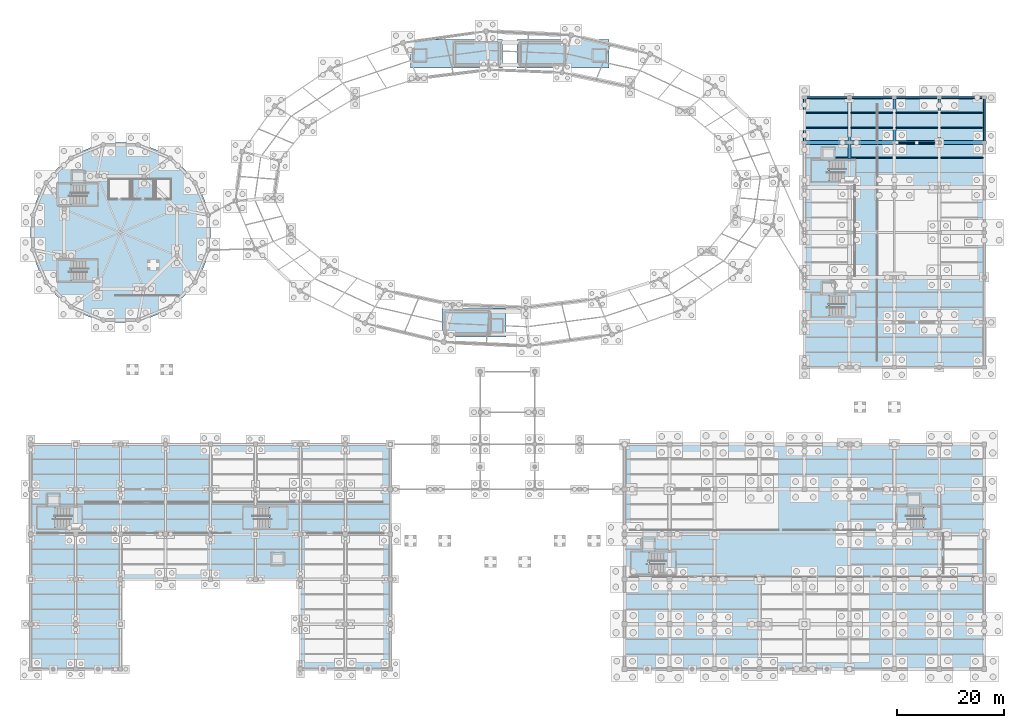
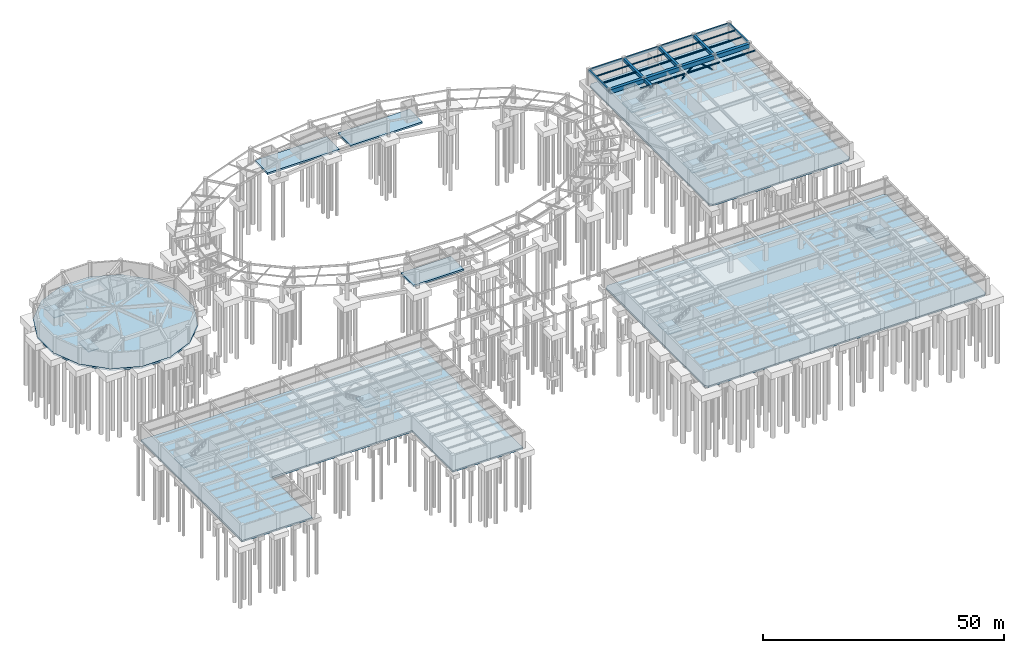
# One storey, part 21 of 38: 26 beams, 15 slabs, 2 members, 8 elements without a shape of their own.
"""IFC4 building model written with IfcOpenShell, lengths in metres."""

from ifc_helpers import new_model, si_unit, direction, frame, origin, origin_2d, place, context, subcontext, project, spatial, polyline, rectangle, hollow_rectangle, i_section, outline, extrude, material, layer, layer_set, material_profile, profile_set, type_object, element, aggregate, save


model = new_model("IFC4")

# Units and contexts
model_context = context("Model", 3, precision=1e-05, world=origin(), true_north=direction((0.0, 1.0)))
body_context = subcontext(model_context, "Body", "Model", "MODEL_VIEW")
ifc_project = project(units=[si_unit("LENGTHUNIT", "METRE"), si_unit("AREAUNIT", "SQUARE_METRE"), si_unit("VOLUMEUNIT", "CUBIC_METRE"), si_unit("PLANEANGLEUNIT", "RADIAN"), si_unit("MASSUNIT", "GRAM", prefix="KILO"), si_unit("THERMODYNAMICTEMPERATUREUNIT", "KELVIN"), si_unit("POWERUNIT", "WATT")], contexts=[model_context])

# Site, building, storey
site_placement = place(None, origin())
site = spatial("IfcSite", under=ifc_project, at=site_placement, CompositionType="ELEMENT")
building_placement = place(site_placement, origin())
building = spatial("IfcBuilding", under=site, at=building_placement, Name="Darbajah Civic Hall", CompositionType="ELEMENT")
storey_placement = place(building_placement, frame((0.0, 0.0, -4.199951171875)))
storey = spatial("IfcBuildingStorey", under=building, at=storey_placement, Name="B01", CompositionType="ELEMENT", Elevation=-4.199951171875)

# Beams
ifc_material_1 = material(Name="Concrete C45/55", Category="concrete")
ifc_material_profile_1 = material_profile(ifc_material_1, rectangle(XDim=0.550048828125, YDim=0.75, at=origin_2d()), Name="RC BEAM 550x750")
ifc_profile_set_1 = profile_set([ifc_material_profile_1], Name="Concrete C45/55")
beam_type_1 = type_object("IfcBeamType", Name="RC BEAM 550x750", PredefinedType="BEAM", material=ifc_profile_set_1)
beam_1_placement = place(storey_placement, frame((153.0, 95.340087890625, 3.48486328125), z_axis=(0.0, 1.0, 0.0), x_axis=(-1.0, 0.0, 0.0)))
element("IfcBeam", 1, at=beam_1_placement, inside=storey, type_object=beam_type_1, Name="B01 beam BM-5575", PredefinedType="BEAM", context=body_context, shape_type="SweptSolid", body=[
    extrude(rectangle(XDim=0.550048828125, YDim=0.75, at=origin_2d()), origin(), (0.0, 0.0, 1.0), 2.97998046875),
])
for number, where, z_axis, x_axis, name in (
    (2, (153.0, 98.47998046875, 3.48486328125), (0.0, 1.0, 0.0), (-1.0, 0.0, 0.0), "B01 beam BM-5575"),
    (3, (161.39990234375, 98.47998046875, 3.48486328125), (0.0, 1.0, 0.0), (-1.0, 0.0, 0.0), "B01 beam BM-5575"),
    (4, (169.800048828125, 98.47998046875, 3.48486328125), (0.0, 1.0, 0.0), (-1.0, 0.0, 0.0), "B01 beam BM-5575"),
):
    element("IfcBeam", number, at=place(storey_placement, frame(where, z_axis=z_axis, x_axis=x_axis)), inside=storey, type_object=beam_type_1, Name=name, PredefinedType="BEAM", context=body_context, shape_type="SweptSolid", body=[
        extrude(rectangle(XDim=0.550048828125, YDim=0.75, at=origin_2d()), origin(), (0.0, 0.0, 1.0), 8.239990234375),
    ])
ifc_material_2 = material(Name="Concrete C50/60", Category="concrete")
ifc_material_profile_2 = material_profile(ifc_material_2, rectangle(XDim=0.699951171875, YDim=1.050048828125, at=origin_2d()), Name="RC GIRDER 700x1050")
ifc_profile_set_2 = profile_set([ifc_material_profile_2], Name="Concrete C50/60")
beam_type_2 = type_object("IfcBeamType", Name="RC GIRDER 700x1050", PredefinedType="BEAM", material=ifc_profile_set_2)
for number, where, z_axis, x_axis, name in (
    (5, (144.679931640625, 98.39990234375, 3.3349609375), (1.0, 0.0, 0.0), (0.0, 1.0, 0.0), "B01 beam BG-7010"),
    (6, (153.080078125, 98.39990234375, 3.3349609375), (1.0, 0.0, 0.0), (0.0, 1.0, 0.0), "B01 beam BG-7010"),
    (7, (161.47998046875, 98.39990234375, 3.3349609375), (1.0, 0.0, 0.0), (0.0, 1.0, 0.0), "B01 beam BG-7010"),
):
    element("IfcBeam", number, at=place(storey_placement, frame(where, z_axis=z_axis, x_axis=x_axis)), inside=storey, type_object=beam_type_2, Name=name, PredefinedType="BEAM", context=body_context, shape_type="SweptSolid", body=[
        extrude(rectangle(XDim=0.699951171875, YDim=1.050048828125, at=origin_2d()), origin(), (0.0, 0.0, 1.0), 8.239990234375),
    ])
beam_2_placement = place(storey_placement, frame((169.8798828125, 98.39990234375, 3.3349609375), z_axis=(1.0, 0.0, 0.0), x_axis=(0.0, 1.0, 0.0)))
element("IfcBeam", 8, at=beam_2_placement, inside=storey, type_object=beam_type_2, Name="B01 beam BG-7010", PredefinedType="BEAM", context=body_context, shape_type="SweptSolid", body=[
    extrude(rectangle(XDim=0.699951171875, YDim=1.050048828125, at=origin_2d()), origin(), (0.0, 0.0, 1.0), 8.240234375),
])
ifc_material_profile_3 = material_profile(ifc_material_1, rectangle(XDim=0.35009765625, YDim=0.64990234375, at=origin_2d()), Name="RC SPANDREL 350x650")
ifc_profile_set_3 = profile_set([ifc_material_profile_3], Name="Concrete C45/55")
beam_type_3 = type_object("IfcBeamType", Name="RC SPANDREL 350x650", PredefinedType="SPANDREL", material=ifc_profile_set_3)
for number, where, z_axis, x_axis, name in (
    (9, (144.679931640625, 106.800048828125, 3.534912109375), (1.0, 0.0, 0.0), (0.0, 1.0, 0.0), "B01 beam SP-3565"),
    (10, (153.080078125, 106.800048828125, 3.534912109375), (1.0, 0.0, 0.0), (0.0, 1.0, 0.0), "B01 beam SP-3565"),
    (11, (161.47998046875, 106.800048828125, 3.534912109375), (1.0, 0.0, 0.0), (0.0, 1.0, 0.0), "B01 beam SP-3565"),
):
    element("IfcBeam", number, at=place(storey_placement, frame(where, z_axis=z_axis, x_axis=x_axis)), inside=storey, type_object=beam_type_3, Name=name, PredefinedType="SPANDREL", context=body_context, shape_type="SweptSolid", body=[
        extrude(rectangle(XDim=0.35009765625, YDim=0.64990234375, at=origin_2d()), origin(), (0.0, 0.0, 1.0), 8.239990234375),
    ])
beam_3_placement = place(storey_placement, frame((169.8798828125, 106.800048828125, 3.534912109375), z_axis=(1.0, 0.0, 0.0), x_axis=(0.0, 1.0, 0.0)))
element("IfcBeam", 12, at=beam_3_placement, inside=storey, type_object=beam_type_3, Name="B01 beam SP-3565", PredefinedType="SPANDREL", context=body_context, shape_type="SweptSolid", body=[
    extrude(rectangle(XDim=0.35009765625, YDim=0.64990234375, at=origin_2d()), origin(), (0.0, 0.0, 1.0), 8.240234375),
])
for number, where, z_axis, x_axis, name in (
    (13, (144.60009765625, 98.47998046875, 3.534912109375), (0.0, 1.0, 0.0), (-1.0, 0.0, 0.0), "B01 beam SP-3565"),
    (14, (178.199951171875, 98.47998046875, 3.534912109375), (0.0, 1.0, 0.0), (-1.0, 0.0, 0.0), "B01 beam SP-3565"),
):
    element("IfcBeam", number, at=place(storey_placement, frame(where, z_axis=z_axis, x_axis=x_axis)), inside=storey, type_object=beam_type_3, Name=name, PredefinedType="SPANDREL", context=body_context, shape_type="SweptSolid", body=[
        extrude(rectangle(XDim=0.35009765625, YDim=0.64990234375, at=origin_2d()), origin(), (0.0, 0.0, 1.0), 8.239990234375),
    ])

# Members
ifc_material_3 = material(Name="Steel S355JR", Category="steel")
ifc_material_profile_4 = material_profile(ifc_material_3, hollow_rectangle(XDim=0.199951171875, YDim=0.199951171875, WallThickness=0.010009765625, at=origin_2d()), Name="SHS 200x200x10")
ifc_profile_set_4 = profile_set([ifc_material_profile_4], Name="Steel S355JR")
member_type = type_object("IfcMemberType", Name="SHS 200x200x10", PredefinedType="BRACE", material=ifc_profile_set_4)
member_1_placement = place(storey_placement, frame((161.85009765625, 98.39990234375, 0.199951171875), z_axis=(0.742254478498, 0.0, 0.67011811582), x_axis=(0.0, 1.0, 0.0)))
element("IfcMember", 15, at=member_1_placement, inside=storey, type_object=member_type, Name="B01 lateral chevron brace BR-B01-6-L", PredefinedType="BRACE", context=body_context, shape_type="SweptSolid", body=[
    extrude(hollow_rectangle(XDim=0.199951171875, YDim=0.199951171875, WallThickness=0.010009765625, at=origin_2d()), origin(), (0.0, 0.0, 1.0), 4.849853515625),
])
member_2_placement = place(storey_placement, frame((169.35009765625, 98.39990234375, 0.199951171875), z_axis=(-0.742277082557, 0.0, 0.670093077648), x_axis=(0.0, -1.0, 0.0)))
element("IfcMember", 16, at=member_2_placement, inside=storey, type_object=member_type, Name="B01 lateral chevron brace BR-B01-6-R", PredefinedType="BRACE", context=body_context, shape_type="SweptSolid", body=[
    extrude(hollow_rectangle(XDim=0.199951171875, YDim=0.199951171875, WallThickness=0.010009765625, at=origin_2d()), origin(), (0.0, 0.0, 1.0), 4.85009765625),
])

# Beams
ifc_material_profile_5 = material_profile(ifc_material_3, i_section(OverallWidth=0.165771484375, OverallDepth=0.306640625, WebThickness=0.006591796875, FlangeThickness=0.01171875, FilletRadius=0.0087890625, at=origin_2d()), Name="UB 305x165x46")
ifc_profile_set_5 = profile_set([ifc_material_profile_5], Name="Steel S355JR")
beam_type_4 = type_object("IfcBeamType", Name="UB 305x165x46", PredefinedType="JOIST", material=ifc_profile_set_5)
beam_4_placement = place(storey_placement, frame((150.419921875, 95.60009765625, 3.70654296875), z_axis=(1.0, 0.0, 0.0), x_axis=(0.0, 1.0, 0.0)))
element("IfcBeam", 17, at=beam_4_placement, inside=storey, type_object=beam_type_4, Name="B01 beam SJ-305", PredefinedType="JOIST", context=body_context, shape_type="SweptSolid", body=[
    extrude(i_section(OverallWidth=0.165771484375, OverallDepth=0.306640625, WebThickness=0.006591796875, FlangeThickness=0.01171875, FilletRadius=0.0087890625, at=origin_2d()), origin(), (0.0, 0.0, 1.0), 2.30517578125),
])
for number, where, z_axis, x_axis, name in (
    (18, (144.77490234375, 101.199951171875, 3.70654296875), (1.0, 0.0, 0.0), (0.0, 1.0, 0.0), "B01 beam SJ-305"),
    (19, (144.77490234375, 104.0, 3.70654296875), (1.0, 0.0, 0.0), (0.0, 1.0, 0.0), "B01 beam SJ-305"),
):
    element("IfcBeam", number, at=place(storey_placement, frame(where, z_axis=z_axis, x_axis=x_axis)), inside=storey, type_object=beam_type_4, Name=name, PredefinedType="JOIST", context=body_context, shape_type="SweptSolid", body=[
        extrude(i_section(OverallWidth=0.165771484375, OverallDepth=0.306640625, WebThickness=0.006591796875, FlangeThickness=0.01171875, FilletRadius=0.0087890625, at=origin_2d()), origin(), (0.0, 0.0, 1.0), 7.9501953125),
    ])
for number, where, z_axis, x_axis, name in (
    (20, (153.27490234375, 95.60009765625, 3.70654296875), (1.0, 0.0, 0.0), (0.0, 1.0, 0.0), "B01 beam SJ-305"),
    (21, (153.27490234375, 101.199951171875, 3.70654296875), (1.0, 0.0, 0.0), (0.0, 1.0, 0.0), "B01 beam SJ-305"),
    (22, (153.27490234375, 104.0, 3.70654296875), (1.0, 0.0, 0.0), (0.0, 1.0, 0.0), "B01 beam SJ-305"),
):
    element("IfcBeam", number, at=place(storey_placement, frame(where, z_axis=z_axis, x_axis=x_axis)), inside=storey, type_object=beam_type_4, Name=name, PredefinedType="JOIST", context=body_context, shape_type="SweptSolid", body=[
        extrude(i_section(OverallWidth=0.165771484375, OverallDepth=0.306640625, WebThickness=0.006591796875, FlangeThickness=0.01171875, FilletRadius=0.0087890625, at=origin_2d()), origin(), (0.0, 0.0, 1.0), 7.85009765625),
    ])
for number, where, z_axis, x_axis, name in (
    (23, (161.675048828125, 95.60009765625, 3.70654296875), (1.0, 0.0, 0.0), (0.0, 1.0, 0.0), "B01 beam SJ-305"),
    (24, (161.675048828125, 101.199951171875, 3.70654296875), (1.0, 0.0, 0.0), (0.0, 1.0, 0.0), "B01 beam SJ-305"),
    (25, (161.675048828125, 104.0, 3.70654296875), (1.0, 0.0, 0.0), (0.0, 1.0, 0.0), "B01 beam SJ-305"),
):
    element("IfcBeam", number, at=place(storey_placement, frame(where, z_axis=z_axis, x_axis=x_axis)), inside=storey, type_object=beam_type_4, Name=name, PredefinedType="JOIST", context=body_context, shape_type="SweptSolid", body=[
        extrude(i_section(OverallWidth=0.165771484375, OverallDepth=0.306640625, WebThickness=0.006591796875, FlangeThickness=0.01171875, FilletRadius=0.0087890625, at=origin_2d()), origin(), (0.0, 0.0, 1.0), 7.849853515625),
    ])
for number, where, z_axis, x_axis, name in (
    (26, (170.074951171875, 95.60009765625, 3.70654296875), (1.0, 0.0, 0.0), (0.0, 1.0, 0.0), "B01 beam SJ-305"),
    (27, (170.074951171875, 101.199951171875, 3.70654296875), (1.0, 0.0, 0.0), (0.0, 1.0, 0.0), "B01 beam SJ-305"),
    (28, (170.074951171875, 104.0, 3.70654296875), (1.0, 0.0, 0.0), (0.0, 1.0, 0.0), "B01 beam SJ-305"),
):
    element("IfcBeam", number, at=place(storey_placement, frame(where, z_axis=z_axis, x_axis=x_axis)), inside=storey, type_object=beam_type_4, Name=name, PredefinedType="JOIST", context=body_context, shape_type="SweptSolid", body=[
        extrude(i_section(OverallWidth=0.165771484375, OverallDepth=0.306640625, WebThickness=0.006591796875, FlangeThickness=0.01171875, FilletRadius=0.0087890625, at=origin_2d()), origin(), (0.0, 0.0, 1.0), 7.949951171875),
    ])

# Slabs
ifc_layer_1 = layer(ifc_material_1, 0.449951171875, Name="Concrete C45/55")
ifc_layer_set_1 = layer_set([ifc_layer_1], Name="Concrete C45/55")
slab_type_1 = type_object("IfcSlabType", Name="Basement Base Slab 450mm", PredefinedType="BASESLAB", material=ifc_layer_set_1)
slab_1_placement = place(storey_placement, frame((0.0, 0.0, -0.449951171875)))
element("IfcSlab", 29, at=slab_1_placement, inside=storey, type_object=slab_type_1, Name="B01 Council Chamber base slab", PredefinedType="BASESLAB", context=body_context, shape_type="SweptSolid", body=[
    extrude(outline(polyline([(33.60009765625, 84.941650390625), (31.04248046875, 91.116455078125), (26.31640625, 95.84228515625), (20.1416015625, 98.39990234375), (13.458251953125, 98.39990234375), (7.28369140625, 95.84228515625), (2.5576171875, 91.116455078125), (0.0, 84.941650390625), (0.0, 78.25830078125), (2.5576171875, 72.08349609375), (7.28369140625, 67.357666015625), (13.458251953125, 64.800048828125), (20.1416015625, 64.800048828125), (26.31640625, 67.357666015625), (31.04248046875, 72.08349609375), (33.60009765625, 78.25830078125), (33.60009765625, 84.941650390625)])), origin(), (0.0, 0.0, 1.0), 0.449951171875),
])
slab_2_placement = place(storey_placement, frame((0.0, 0.0, -0.449951171875)))
element("IfcSlab", 30, at=slab_2_placement, inside=storey, type_object=slab_type_1, Name="B01 Public Hall wing base slab", PredefinedType="BASESLAB", context=body_context, shape_type="SweptSolid", body=[
    extrude(outline(polyline([(111.60009765625, 0.0), (177.60009765625, 0.0), (178.199951171875, 0.60009765625), (178.199951171875, 41.39990234375), (177.60009765625, 42.0), (111.60009765625, 42.0), (111.0, 41.39990234375), (111.0, 0.60009765625), (111.60009765625, 0.0)])), origin(), (0.0, 0.0, 1.0), 0.449951171875),
])
slab_3_placement = place(storey_placement, frame((0.0, 0.0, -0.449951171875)))
element("IfcSlab", 31, at=slab_3_placement, inside=storey, type_object=slab_type_1, Name="B01 Members Library base slab", PredefinedType="BASESLAB", context=body_context, shape_type="SweptSolid", body=[
    extrude(outline(polyline([(145.199951171875, 56.39990234375), (177.60009765625, 56.39990234375), (178.199951171875, 57.0), (178.199951171875, 106.199951171875), (177.60009765625, 106.800048828125), (145.199951171875, 106.800048828125), (144.60009765625, 106.199951171875), (144.60009765625, 57.0), (145.199951171875, 56.39990234375)])), origin(), (0.0, 0.0, 1.0), 0.449951171875),
])
slab_4_placement = place(storey_placement, frame((0.0, 0.0, -0.449951171875)))
element("IfcSlab", 32, at=slab_4_placement, inside=storey, type_object=slab_type_1, Name="B01 Committee Cloister base slab", PredefinedType="BASESLAB", context=body_context, shape_type="SweptSolid", body=[
    extrude(outline(polyline([(0.0, 0.0), (16.800048828125, 0.0), (16.800048828125, 16.800048828125), (50.39990234375, 16.800048828125), (50.39990234375, 0.0), (67.199951171875, 0.0), (67.199951171875, 42.0), (0.0, 42.0), (0.0, 0.0)])), origin(), (0.0, 0.0, 1.0), 0.449951171875),
])
slab_5_placement = place(storey_placement, frame((0.0, 0.0, -0.449951171875)))
element("IfcSlab", 33, at=slab_5_placement, inside=storey, type_object=slab_type_1, Name="B01 Oval Ring core C01 foundation mat slab", PredefinedType="BASESLAB", context=body_context, shape_type="SweptSolid", body=[
    extrude(outline(polyline([(70.949951171875, 112.35009765625), (88.14990234375, 112.35009765625), (88.14990234375, 117.64990234375), (70.949951171875, 117.64990234375), (70.949951171875, 112.35009765625)])), origin(), (0.0, 0.0, 1.0), 0.449951171875),
])
slab_6_placement = place(storey_placement, frame((0.0, 0.0, -0.449951171875)))
element("IfcSlab", 34, at=slab_6_placement, inside=storey, type_object=slab_type_1, Name="B01 Oval Ring core C02 foundation mat slab", PredefinedType="BASESLAB", context=body_context, shape_type="SweptSolid", body=[
    extrude(outline(polyline([(90.85009765625, 112.35009765625), (108.050048828125, 112.35009765625), (108.050048828125, 117.64990234375), (90.85009765625, 117.64990234375), (90.85009765625, 112.35009765625)])), origin(), (0.0, 0.0, 1.0), 0.449951171875),
])
slab_7_placement = place(storey_placement, frame((0.0, 0.0, -0.449951171875)))
element("IfcSlab", 35, at=slab_7_placement, inside=storey, type_object=slab_type_1, Name="B01 Oval Ring core C03 foundation mat slab", PredefinedType="BASESLAB", context=body_context, shape_type="SweptSolid", body=[
    extrude(outline(polyline([(76.85009765625, 62.050048828125), (88.85009765625, 62.050048828125), (88.85009765625, 67.35009765625), (76.85009765625, 67.35009765625), (76.85009765625, 62.050048828125)])), origin(), (0.0, 0.0, 1.0), 0.449951171875),
])

# Stair, slab
stair_type = type_object("IfcStairType", Name="Half Turn Stair 1650x4200", PredefinedType="HALF_TURN_STAIR", material=ifc_material_1)
stair_1_placement = place(storey_placement, origin())
stair_1 = element("IfcStair", 36, at=stair_1_placement, inside=storey, type_object=stair_type, Name="B01 enclosed exit stair ST04", PredefinedType="HALF_TURN_STAIR")
ifc_layer_2 = layer(ifc_material_1, 0.199951171875, Name="Concrete C45/55")
ifc_layer_set_2 = layer_set([ifc_layer_2], Name="Concrete C45/55")
slab_type_2 = type_object("IfcSlabType", Name="Stair Landing Slab 200mm", PredefinedType="LANDING", material=ifc_layer_set_2)
slab_8_placement = place(storey_placement, frame((0.0, 0.0, 1.89990234375)))
slab_8 = element("IfcSlab", 37, at=slab_8_placement, type_object=slab_type_2, Name="ST04 B01 half-landing", PredefinedType="LANDING", context=body_context, shape_type="SweptSolid", body=[
    extrude(outline(polyline([(5.0, 86.60009765625), (7.56005859375, 86.60009765625), (7.56005859375, 90.800048828125), (5.0, 90.800048828125), (5.0, 86.60009765625)])), origin(), (0.0, 0.0, 1.0), 0.199951171875),
])
aggregate(stair_1, [slab_8])

stair_2_placement = place(storey_placement, origin())
stair_2 = element("IfcStair", 38, at=stair_2_placement, inside=storey, type_object=stair_type, Name="B01 enclosed exit stair ST05", PredefinedType="HALF_TURN_STAIR")
slab_9_placement = place(storey_placement, frame((0.0, 0.0, 1.89990234375)))
slab_9 = element("IfcSlab", 39, at=slab_9_placement, type_object=slab_type_2, Name="ST05 B01 half-landing", PredefinedType="LANDING", context=body_context, shape_type="SweptSolid", body=[
    extrude(outline(polyline([(5.0, 72.39990234375), (7.56005859375, 72.39990234375), (7.56005859375, 76.60009765625), (5.0, 76.60009765625), (5.0, 72.39990234375)])), origin(), (0.0, 0.0, 1.0), 0.199951171875),
])
aggregate(stair_2, [slab_9])

stair_3_placement = place(storey_placement, origin())
stair_3 = element("IfcStair", 40, at=stair_3_placement, inside=storey, type_object=stair_type, Name="B01 enclosed exit stair ST06", PredefinedType="HALF_TURN_STAIR")
slab_10_placement = place(storey_placement, frame((0.0, 0.0, 1.89990234375)))
slab_10 = element("IfcSlab", 41, at=slab_10_placement, type_object=slab_type_2, Name="ST06 B01 half-landing", PredefinedType="LANDING", context=body_context, shape_type="SweptSolid", body=[
    extrude(outline(polyline([(112.199951171875, 17.800048828125), (115.56005859375, 17.800048828125), (115.56005859375, 22.0), (112.199951171875, 22.0), (112.199951171875, 17.800048828125)])), origin(), (0.0, 0.0, 1.0), 0.199951171875),
])
aggregate(stair_3, [slab_10])

stair_4_placement = place(storey_placement, origin())
stair_4 = element("IfcStair", 42, at=stair_4_placement, inside=storey, type_object=stair_type, Name="B01 enclosed exit stair ST07", PredefinedType="HALF_TURN_STAIR")
slab_11_placement = place(storey_placement, frame((0.0, 0.0, 1.89990234375)))
slab_11 = element("IfcSlab", 43, at=slab_11_placement, type_object=slab_type_2, Name="ST07 B01 half-landing", PredefinedType="LANDING", context=body_context, shape_type="SweptSolid", body=[
    extrude(outline(polyline([(166.840087890625, 26.199951171875), (170.199951171875, 26.199951171875), (170.199951171875, 30.39990234375), (166.840087890625, 30.39990234375), (166.840087890625, 26.199951171875)])), origin(), (0.0, 0.0, 1.0), 0.199951171875),
])
aggregate(stair_4, [slab_11])

stair_5_placement = place(storey_placement, origin())
stair_5 = element("IfcStair", 44, at=stair_5_placement, inside=storey, type_object=stair_type, Name="B01 enclosed exit stair ST08", PredefinedType="HALF_TURN_STAIR")
slab_12_placement = place(storey_placement, frame((0.0, 0.0, 1.89990234375)))
slab_12 = element("IfcSlab", 45, at=slab_12_placement, type_object=slab_type_2, Name="ST08 B01 half-landing", PredefinedType="LANDING", context=body_context, shape_type="SweptSolid", body=[
    extrude(outline(polyline([(145.800048828125, 91.0), (149.159912109375, 91.0), (149.159912109375, 95.199951171875), (145.800048828125, 95.199951171875), (145.800048828125, 91.0)])), origin(), (0.0, 0.0, 1.0), 0.199951171875),
])
aggregate(stair_5, [slab_12])

stair_6_placement = place(storey_placement, origin())
stair_6 = element("IfcStair", 46, at=stair_6_placement, inside=storey, type_object=stair_type, Name="B01 enclosed exit stair ST09", PredefinedType="HALF_TURN_STAIR")
slab_13_placement = place(storey_placement, frame((0.0, 0.0, 1.89990234375)))
slab_13 = element("IfcSlab", 47, at=slab_13_placement, type_object=slab_type_2, Name="ST09 B01 half-landing", PredefinedType="LANDING", context=body_context, shape_type="SweptSolid", body=[
    extrude(outline(polyline([(145.800048828125, 65.800048828125), (149.159912109375, 65.800048828125), (149.159912109375, 70.0), (145.800048828125, 70.0), (145.800048828125, 65.800048828125)])), origin(), (0.0, 0.0, 1.0), 0.199951171875),
])
aggregate(stair_6, [slab_13])

stair_7_placement = place(storey_placement, origin())
stair_7 = element("IfcStair", 48, at=stair_7_placement, inside=storey, type_object=stair_type, Name="B01 enclosed exit stair ST10", PredefinedType="HALF_TURN_STAIR")
slab_14_placement = place(storey_placement, frame((0.0, 0.0, 1.89990234375)))
slab_14 = element("IfcSlab", 49, at=slab_14_placement, type_object=slab_type_2, Name="ST10 B01 half-landing", PredefinedType="LANDING", context=body_context, shape_type="SweptSolid", body=[
    extrude(outline(polyline([(1.199951171875, 26.199951171875), (4.56005859375, 26.199951171875), (4.56005859375, 30.39990234375), (1.199951171875, 30.39990234375), (1.199951171875, 26.199951171875)])), origin(), (0.0, 0.0, 1.0), 0.199951171875),
])
aggregate(stair_7, [slab_14])

stair_8_placement = place(storey_placement, origin())
stair_8 = element("IfcStair", 50, at=stair_8_placement, inside=storey, type_object=stair_type, Name="B01 enclosed exit stair ST11", PredefinedType="HALF_TURN_STAIR")
slab_15_placement = place(storey_placement, frame((0.0, 0.0, 1.89990234375)))
slab_15 = element("IfcSlab", 51, at=slab_15_placement, type_object=slab_type_2, Name="ST11 B01 half-landing", PredefinedType="LANDING", context=body_context, shape_type="SweptSolid", body=[
    extrude(outline(polyline([(44.639892578125, 26.199951171875), (48.0, 26.199951171875), (48.0, 30.39990234375), (44.639892578125, 30.39990234375), (44.639892578125, 26.199951171875)])), origin(), (0.0, 0.0, 1.0), 0.199951171875),
])
aggregate(stair_8, [slab_15])

save(model, "model.ifc")
